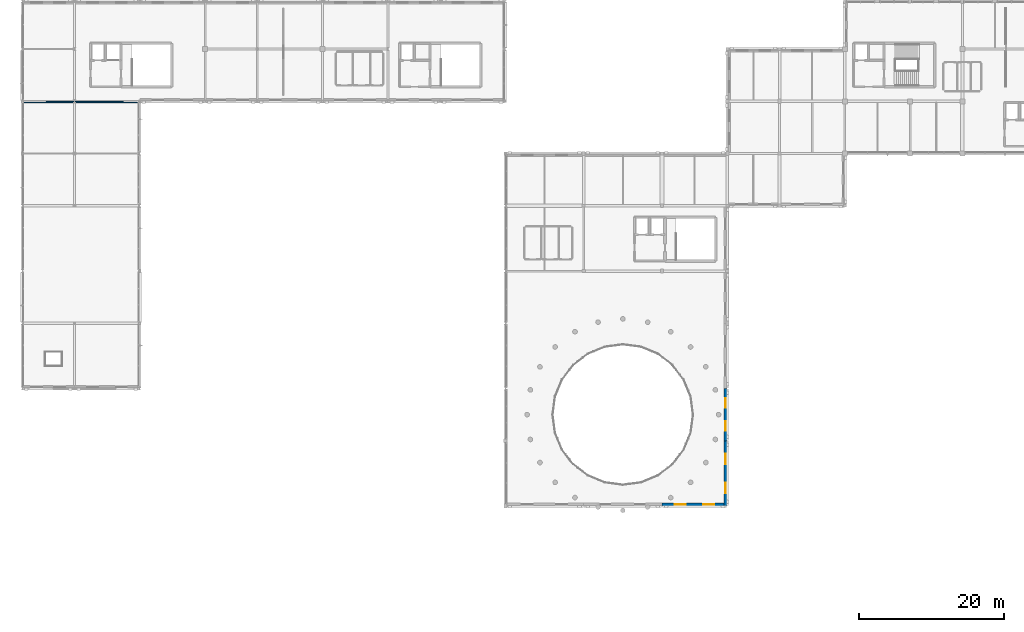
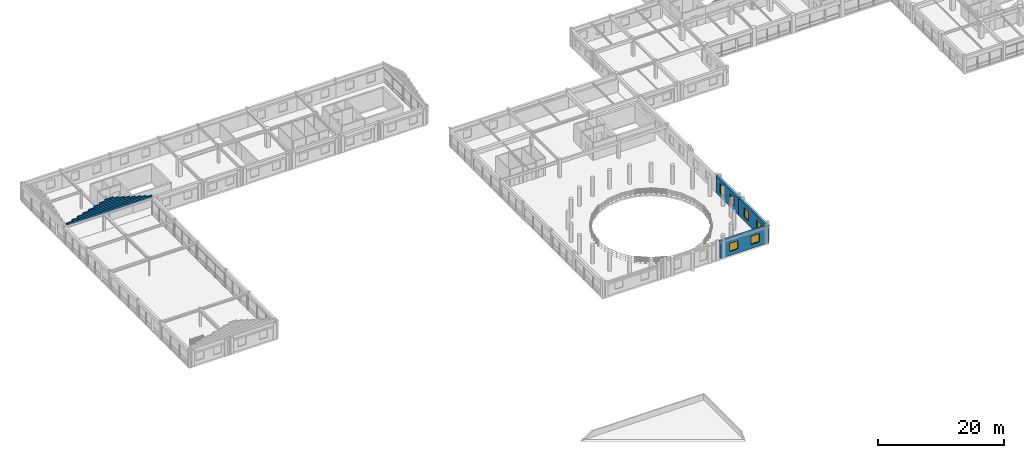
# One storey, part 39 of 52: 11 walls, 6 windows, 6 openings.
"""IFC4 building model written with IfcOpenShell, lengths in metres."""

import ifcopenshell
import ifcopenshell.guid

model = None  # the IFC model being written
_history = None  # IfcOwnerHistory: only IFC2X3 demands one
_inside = {}  # id of a spatial element -> (the spatial element, [elements in it])
_under = {}  # id of a project, library or spatial element -> (it, [spatial elements below it])
_declared = {}  # id of a project -> (the project, [libraries it declares])
_typed = {}  # id of a type object -> (the type object, [elements of that type])
_made_of = {}  # id of a material, layer set ... -> (it, [elements and type objects made of it])


def new_model(schema):
    """Start an empty IFC model of exactly this schema.

    Asked for "IFC4X3", IfcOpenShell would pick the latest addendum, in which some entities
    have other attributes; the version numbers below select the first issue.
    IFC2X3 requires an IfcOwnerHistory on every rooted entity: one is made here for all.
    """
    global model, _history
    if schema == "IFC4X3":
        model = ifcopenshell.file(schema_version=(4, 3, 0, 0))
    else:
        model = ifcopenshell.file(schema=schema)
    _inside.clear()
    _under.clear()
    _declared.clear()
    _typed.clear()
    _made_of.clear()
    _history = None
    if model.schema == "IFC2X3":
        org = make("IfcOrganization", Name="unknown")
        user = make(
            "IfcPersonAndOrganization",
            ThePerson=make("IfcPerson", FamilyName="unknown"),
            TheOrganization=org,
        )
        app = make(
            "IfcApplication",
            ApplicationDeveloper=org,
            Version="unknown",
            ApplicationFullName="unknown",
            ApplicationIdentifier="unknown",
        )
        _history = make(
            "IfcOwnerHistory",
            OwningUser=user,
            OwningApplication=app,
            ChangeAction="ADDED",
            CreationDate=0,
        )
    return model


def make(cls, **values):
    """One entity of the class cls with the attributes given. An attribute that is None is left unset."""
    return model.create_entity(
        cls, **{name: value for name, value in values.items() if value is not None}
    )


def rooted(cls, **values):
    """An entity with a GlobalId (a new one), such as an element, a storey or a relation."""
    return make(cls, GlobalId=ifcopenshell.guid.new(), OwnerHistory=_history, **values)


def si_unit(unit_type, name, prefix=None):
    """IfcSIUnit, for example si_unit("LENGTHUNIT", "METRE", prefix="MILLI")."""
    return make("IfcSIUnit", UnitType=unit_type, Prefix=prefix, Name=name)


def assignment(units):
    """IfcUnitAssignment: the units of a project."""
    return None if units is None else make("IfcUnitAssignment", Units=units)


def point(xyz):
    """IfcCartesianPoint."""
    return None if xyz is None else make("IfcCartesianPoint", Coordinates=xyz)


def direction(xyz):
    """IfcDirection."""
    return None if xyz is None else make("IfcDirection", DirectionRatios=xyz)


def frame(location, z_axis=None, x_axis=None):
    """IfcAxis2Placement3D, a coordinate frame: its origin and axes. An axis left out is left unset."""
    return make(
        "IfcAxis2Placement3D",
        Location=point(location),
        Axis=direction(z_axis),
        RefDirection=direction(x_axis),
    )


def frame_2d(location, x_axis=None):
    """IfcAxis2Placement2D, a coordinate frame in the plane: its origin and x axis."""
    return make(
        "IfcAxis2Placement2D", Location=point(location), RefDirection=direction(x_axis)
    )


def origin():
    """The frame at (0, 0, 0) with its axes left unset."""
    return frame((0.0, 0.0, 0.0))


def place(relative_to, where):
    """IfcLocalPlacement: puts the frame where relative to a parent placement (None: the world)."""
    return make(
        "IfcLocalPlacement", PlacementRelTo=relative_to, RelativePlacement=where
    )


def context(
    kind, dimensions, precision=None, world=None, true_north=None, identifier=None
):
    """IfcGeometricRepresentationContext, for example the 3D "Model" context."""
    return make(
        "IfcGeometricRepresentationContext",
        ContextIdentifier=identifier,
        ContextType=kind,
        CoordinateSpaceDimension=dimensions,
        Precision=precision,
        WorldCoordinateSystem=world,
        TrueNorth=true_north,
    )


def subcontext(parent, identifier, kind, view, scale=None):
    """IfcGeometricRepresentationSubContext, for example "Body" below "Model"."""
    return make(
        "IfcGeometricRepresentationSubContext",
        ContextIdentifier=identifier,
        ContextType=kind,
        ParentContext=parent,
        TargetScale=scale,
        TargetView=view,
    )


def project(units=None, contexts=None):
    """IfcProject with its units and contexts."""
    return rooted(
        "IfcProject",
        Name="project",
        RepresentationContexts=contexts,
        UnitsInContext=assignment(units),
    )


def spatial(cls, under=None, at=None, **own):
    """A site, building, storey or space (cls), placed at a placement, below another one or the project."""
    s = rooted(cls, ObjectPlacement=at, **own)
    if under is not None:
        _under.setdefault(under.id(), (under, []))[1].append(s)
    return s


def profile(cls, at=None, kind="AREA", **sizes):
    """A parametric profile (cls). Its sizes go by their IFC names, for example OverallWidth=200.0."""
    return make(cls, ProfileType=kind, Position=at, **sizes)


def rectangle(**sizes):
    """IfcRectangleProfileDef."""
    return profile("IfcRectangleProfileDef", **sizes)


def extrude(swept, where, along, depth):
    """IfcExtrudedAreaSolid: the profile swept, set in the frame where, extruded along a direction by depth."""
    return make(
        "IfcExtrudedAreaSolid",
        SweptArea=swept,
        Position=where,
        ExtrudedDirection=direction(along),
        Depth=depth,
    )


def shape(context_of_items, identifier, shape_type, items):
    """IfcShapeRepresentation: the items that make up one representation, for example the "Body"."""
    return make(
        "IfcShapeRepresentation",
        ContextOfItems=context_of_items,
        RepresentationIdentifier=identifier,
        RepresentationType=shape_type,
        Items=items,
    )


def material(Name=None, Category=None):
    """IfcMaterial."""
    return make("IfcMaterial", Name=Name, Category=Category)


def layer(
    of_material, thickness, ventilated=None, Name=None, Category=None, Priority=None
):
    """IfcMaterialLayer: one layer of a wall or slab, of a material (None: an air gap)."""
    return make(
        "IfcMaterialLayer",
        Material=of_material,
        LayerThickness=thickness,
        IsVentilated=ventilated,
        Name=Name,
        Category=Category,
        Priority=Priority,
    )


def layer_set(layers, Name=None):
    """IfcMaterialLayerSet."""
    return make("IfcMaterialLayerSet", MaterialLayers=layers, LayerSetName=Name)


def made_of(thing, what):
    """Note that an element or type object is made of a material, layer set ...; save() writes the relation."""
    if what is not None:
        _made_of.setdefault(what.id(), (what, []))[1].append(thing)
    return thing


def type_object(cls, material=None, **own):
    """A type object (cls), such as IfcWallType, which elements share."""
    return made_of(rooted(cls, **own), material)


def element(
    cls,
    number,
    at=None,
    inside=None,
    cuts=None,
    type_object=None,
    material=None,
    context=None,
    identifier="Body",
    shape_type=None,
    held_by="IfcProductDefinitionShape",
    body=None,
    shapes=None,
    **own,
):
    """One element of the class cls, such as IfcWall. Its Tag is "e" and its number.

    at: its placement. inside: the storey or other place that contains it. cuts: it is an
    opening in that element (IfcRelVoidsElement). A single representation is given by context,
    identifier, shape_type and body (its items); several are given by shapes. held_by: the class
    of the entity that holds the representations. save() writes the other relations.
    """
    e = rooted(cls, Tag="e%d" % number, ObjectPlacement=at, **own)
    if body is not None:
        shapes = [shape(context, identifier, shape_type, body)]
    if shapes is not None:
        e.Representation = make(held_by, Representations=shapes)
    if inside is not None:
        _inside.setdefault(inside.id(), (inside, []))[1].append(e)
    if cuts is not None:
        rooted(
            "IfcRelVoidsElement", RelatingBuildingElement=cuts, RelatedOpeningElement=e
        )
    if type_object is not None:
        _typed.setdefault(type_object.id(), (type_object, []))[1].append(e)
    return made_of(e, material)


def fill(opening, filler):
    """IfcRelFillsElement: the door or window that sits in an opening."""
    return rooted(
        "IfcRelFillsElement",
        RelatingOpeningElement=opening,
        RelatedBuildingElement=filler,
    )


def aggregate(whole, parts):
    """IfcRelAggregates: a whole, such as a stair, and the parts it consists of."""
    return rooted("IfcRelAggregates", RelatingObject=whole, RelatedObjects=parts)


def save(model, path):
    """Write the relations noted so far, then the file.

    IfcRelAggregates (storeys below a building ...), IfcRelContainedInSpatialStructure (elements
    in a storey), IfcRelDefinesByType, IfcRelAssociatesMaterial and IfcRelDeclares: one each for
    every whole, place, type object, material and project.
    """
    for whole, parts in _under.values():
        aggregate(whole, parts)
    for where, things in _inside.values():
        rooted(
            "IfcRelContainedInSpatialStructure",
            RelatedElements=things,
            RelatingStructure=where,
        )
    for kind, things in _typed.values():
        rooted("IfcRelDefinesByType", RelatedObjects=things, RelatingType=kind)
    for what, things in _made_of.values():
        rooted("IfcRelAssociatesMaterial", RelatedObjects=things, RelatingMaterial=what)
    for by, libraries in _declared.values():
        rooted("IfcRelDeclares", RelatingContext=by, RelatedDefinitions=libraries)
    model.write(path)


model = new_model("IFC4")

# Units and contexts
model_context = context("Model", 3, precision=1e-05, world=origin(), true_north=direction((0.0, 1.0)))
body_context = subcontext(model_context, "Body", "Model", "MODEL_VIEW")
ifc_project = project(units=[si_unit("LENGTHUNIT", "METRE"), si_unit("AREAUNIT", "SQUARE_METRE"), si_unit("VOLUMEUNIT", "CUBIC_METRE"), si_unit("PLANEANGLEUNIT", "RADIAN"), si_unit("MASSUNIT", "GRAM", prefix="KILO")], contexts=[model_context])

# Site, building, storey
site_placement = place(None, origin())
site = spatial("IfcSite", under=ifc_project, at=site_placement, CompositionType="ELEMENT")
building_placement = place(site_placement, origin())
building = spatial("IfcBuilding", under=site, at=building_placement, Name="Clarverna Civic Hall", CompositionType="ELEMENT")
storey_placement = place(building_placement, frame((0.0, 0.0, 16.800048828125)))
storey = spatial("IfcBuildingStorey", under=building, at=storey_placement, Name="L04", CompositionType="ELEMENT", Elevation=16.800048828125)

# Wall, openings, windows
ifc_material_1 = material(Name="Montjuic Limestone Ashlar Cladding", Category="masonry")
ifc_layer_1 = layer(ifc_material_1, 0.39990234375)
ifc_layer_set_1 = layer_set([ifc_layer_1], Name="Montjuic Limestone Ashlar Cladding")
wall_type_1 = type_object("IfcWallType", Name="EW-02", PredefinedType="SOLIDWALL", material=ifc_layer_set_1)
wall_1_placement = place(storey_placement, frame((96.97509765625, 62.60009765625, 0.0), z_axis=(0.0, 0.0, 1.0), x_axis=(0.0, -1.0, 0.0)))
wall_1 = element("IfcWall", 1, at=wall_1_placement, inside=storey, type_object=wall_type_1, Name="EW-02-233", PredefinedType="SOLIDWALL", context=body_context, shape_type="SweptSolid", body=[
    extrude(rectangle(XDim=7.2001953125, YDim=0.39990234375, at=frame_2d((3.60009765625, 0.0))), origin(), (0.0, 0.0, 1.0), 3.33984375),
])
opening_1_placement = place(wall_1_placement, frame((1.365966796875, 0.0, 0.75)))
opening_1 = element("IfcOpeningElement", 2, at=opening_1_placement, cuts=wall_1, Name="Opening WN-19", PredefinedType="OPENING", context=body_context, shape_type="SweptSolid", body=[
    extrude(rectangle(XDim=1.300048828125, YDim=1.85009765625, at=frame_2d((0.64990234375, 0.925048828125))), frame((0.0, 0.2099609375, 0.0), z_axis=(0.0, -1.0, 0.0), x_axis=(1.0, 0.0, 0.0)), (0.0, 0.0, 1.0), 0.419921875),
])
opening_2_placement = place(wall_1_placement, frame((4.533935546875, 0.0, 0.75)))
opening_2 = element("IfcOpeningElement", 3, at=opening_2_placement, cuts=wall_1, Name="Opening WN-19", PredefinedType="OPENING", context=body_context, shape_type="SweptSolid", body=[
    extrude(rectangle(XDim=1.300048828125, YDim=1.85009765625, at=frame_2d((0.64990234375, 0.925048828125))), frame((0.0, 0.2099609375, 0.0), z_axis=(0.0, -1.0, 0.0), x_axis=(1.0, 0.0, 0.0)), (0.0, 0.0, 1.0), 0.419921875),
])
ifc_material_2 = material(Name="Solar-Control Argon Low-E Double Glazing", Category="glass")
window_type_1 = type_object("IfcWindowType", Name="WN-19", PartitioningType="SINGLE_PANEL", PredefinedType="WINDOW", material=ifc_material_2)
window_1_placement = place(opening_1_placement, origin())
window_1 = element("IfcWindow", 4, at=window_1_placement, inside=storey, type_object=window_type_1, Name="WN-19-005", OverallHeight=1.85009765625, OverallWidth=1.300048828125, PartitioningType="SINGLE_PANEL", PredefinedType="WINDOW", context=body_context, shape_type="SweptSolid", body=[
    extrude(rectangle(XDim=1.300048828125, YDim=1.85009765625, at=frame_2d((0.64990234375, 0.925048828125))), frame((0.0, 0.030029296875, 0.0), z_axis=(0.0, -1.0, 0.0), x_axis=(1.0, 0.0, 0.0)), (0.0, 0.0, 1.0), 0.06005859375),
])
fill(opening_1, window_1)
window_2_placement = place(opening_2_placement, origin())
window_2 = element("IfcWindow", 5, at=window_2_placement, inside=storey, type_object=window_type_1, Name="WN-19-006", OverallHeight=1.85009765625, OverallWidth=1.300048828125, PartitioningType="SINGLE_PANEL", PredefinedType="WINDOW", context=body_context, shape_type="SweptSolid", body=[
    extrude(rectangle(XDim=1.300048828125, YDim=1.85009765625, at=frame_2d((0.64990234375, 0.925048828125))), frame((0.0, 0.030029296875, 0.0), z_axis=(0.0, -1.0, 0.0), x_axis=(1.0, 0.0, 0.0)), (0.0, 0.0, 1.0), 0.06005859375),
])
fill(opening_2, window_2)

wall_2_placement = place(storey_placement, frame((96.97509765625, 55.39990234375, 0.0), z_axis=(0.0, 0.0, 1.0), x_axis=(0.0, -1.0, 0.0)))
wall_2 = element("IfcWall", 6, at=wall_2_placement, inside=storey, type_object=wall_type_1, Name="EW-02-234", PredefinedType="SOLIDWALL", context=body_context, shape_type="SweptSolid", body=[
    extrude(rectangle(XDim=9.0, YDim=0.39990234375, at=frame_2d((4.5, 0.0))), origin(), (0.0, 0.0, 1.0), 3.33984375),
])
opening_3_placement = place(wall_2_placement, frame((1.794921875, 0.0, 0.75)))
opening_3 = element("IfcOpeningElement", 7, at=opening_3_placement, cuts=wall_2, Name="Opening WN-20", PredefinedType="OPENING", context=body_context, shape_type="SweptSolid", body=[
    extrude(rectangle(XDim=1.449951171875, YDim=1.85009765625, at=frame_2d((0.72509765625, 0.925048828125))), frame((0.0, 0.2099609375, 0.0), z_axis=(0.0, -1.0, 0.0), x_axis=(1.0, 0.0, 0.0)), (0.0, 0.0, 1.0), 0.419921875),
])
opening_4_placement = place(wall_2_placement, frame((5.7548828125, 0.0, 0.75)))
opening_4 = element("IfcOpeningElement", 8, at=opening_4_placement, cuts=wall_2, Name="Opening WN-20", PredefinedType="OPENING", context=body_context, shape_type="SweptSolid", body=[
    extrude(rectangle(XDim=1.449951171875, YDim=1.85009765625, at=frame_2d((0.72509765625, 0.925048828125))), frame((0.0, 0.2099609375, 0.0), z_axis=(0.0, -1.0, 0.0), x_axis=(1.0, 0.0, 0.0)), (0.0, 0.0, 1.0), 0.419921875),
])
window_type_2 = type_object("IfcWindowType", Name="WN-20", PartitioningType="DOUBLE_PANEL_VERTICAL", PredefinedType="WINDOW", material=ifc_material_2)
window_3_placement = place(opening_3_placement, origin())
window_3 = element("IfcWindow", 9, at=window_3_placement, inside=storey, type_object=window_type_2, Name="WN-20-005", OverallHeight=1.85009765625, OverallWidth=1.449951171875, PartitioningType="DOUBLE_PANEL_VERTICAL", PredefinedType="WINDOW", context=body_context, shape_type="SweptSolid", body=[
    extrude(rectangle(XDim=1.449951171875, YDim=1.85009765625, at=frame_2d((0.72509765625, 0.925048828125))), frame((0.0, 0.030029296875, 0.0), z_axis=(0.0, -1.0, 0.0), x_axis=(1.0, 0.0, 0.0)), (0.0, 0.0, 1.0), 0.06005859375),
])
fill(opening_3, window_3)
window_4_placement = place(opening_4_placement, origin())
window_4 = element("IfcWindow", 10, at=window_4_placement, inside=storey, type_object=window_type_2, Name="WN-20-006", OverallHeight=1.85009765625, OverallWidth=1.449951171875, PartitioningType="DOUBLE_PANEL_VERTICAL", PredefinedType="WINDOW", context=body_context, shape_type="SweptSolid", body=[
    extrude(rectangle(XDim=1.449951171875, YDim=1.85009765625, at=frame_2d((0.72509765625, 0.925048828125))), frame((0.0, 0.030029296875, 0.0), z_axis=(0.0, -1.0, 0.0), x_axis=(1.0, 0.0, 0.0)), (0.0, 0.0, 1.0), 0.06005859375),
])
fill(opening_4, window_4)

wall_3_placement = place(storey_placement, frame((97.175048828125, 46.60009765625, 0.0), z_axis=(0.0, 0.0, 1.0), x_axis=(-1.0, 0.0, 0.0)))
wall_3 = element("IfcWall", 11, at=wall_3_placement, inside=storey, type_object=wall_type_1, Name="EW-02-235", PredefinedType="SOLIDWALL", context=body_context, shape_type="SweptSolid", body=[
    extrude(rectangle(XDim=8.97509765625, YDim=0.39990234375, at=frame_2d((4.487548828125, 0.0))), origin(), (0.0, 0.0, 1.0), 3.33984375),
])
opening_5_placement = place(wall_3_placement, frame((1.762939453125, 0.0, 0.75)))
opening_5 = element("IfcOpeningElement", 12, at=opening_5_placement, cuts=wall_3, Name="Opening WN-14", PredefinedType="OPENING", context=body_context, shape_type="SweptSolid", body=[
    extrude(rectangle(XDim=1.5, YDim=1.60009765625, at=frame_2d((0.75, 0.800048828125))), frame((0.0, 0.2099609375, 0.0), z_axis=(0.0, -1.0, 0.0), x_axis=(1.0, 0.0, 0.0)), (0.0, 0.0, 1.0), 0.419921875),
])
opening_6_placement = place(wall_3_placement, frame((5.7119140625, 0.0, 0.75)))
opening_6 = element("IfcOpeningElement", 13, at=opening_6_placement, cuts=wall_3, Name="Opening WN-14", PredefinedType="OPENING", context=body_context, shape_type="SweptSolid", body=[
    extrude(rectangle(XDim=1.5, YDim=1.60009765625, at=frame_2d((0.75, 0.800048828125))), frame((0.0, 0.2099609375, 0.0), z_axis=(0.0, -1.0, 0.0), x_axis=(1.0, 0.0, 0.0)), (0.0, 0.0, 1.0), 0.419921875),
])
window_type_3 = type_object("IfcWindowType", Name="WN-14", PartitioningType="DOUBLE_PANEL_HORIZONTAL", PredefinedType="WINDOW", material=ifc_material_2)
window_5_placement = place(opening_5_placement, origin())
window_5 = element("IfcWindow", 14, at=window_5_placement, inside=storey, type_object=window_type_3, Name="WN-14-258", OverallHeight=1.60009765625, OverallWidth=1.5, PartitioningType="DOUBLE_PANEL_HORIZONTAL", PredefinedType="WINDOW", context=body_context, shape_type="SweptSolid", body=[
    extrude(rectangle(XDim=1.5, YDim=1.60009765625, at=frame_2d((0.75, 0.800048828125))), frame((0.0, 0.030029296875, 0.0), z_axis=(0.0, -1.0, 0.0), x_axis=(1.0, 0.0, 0.0)), (0.0, 0.0, 1.0), 0.06005859375),
])
fill(opening_5, window_5)
window_6_placement = place(opening_6_placement, origin())
window_6 = element("IfcWindow", 15, at=window_6_placement, inside=storey, type_object=window_type_3, Name="WN-14-259", OverallHeight=1.60009765625, OverallWidth=1.5, PartitioningType="DOUBLE_PANEL_HORIZONTAL", PredefinedType="WINDOW", context=body_context, shape_type="SweptSolid", body=[
    extrude(rectangle(XDim=1.5, YDim=1.60009765625, at=frame_2d((0.75, 0.800048828125))), frame((0.0, 0.030029296875, 0.0), z_axis=(0.0, -1.0, 0.0), x_axis=(1.0, 0.0, 0.0)), (0.0, 0.0, 1.0), 0.06005859375),
])
fill(opening_6, window_6)

# Walls
ifc_material_3 = material(Name="Precast concrete C40/50", Category="concrete")
ifc_layer_2 = layer(ifc_material_3, 0.239990234375)
ifc_layer_set_2 = layer_set([ifc_layer_2], Name="Precast concrete C40/50")
wall_type_2 = type_object("IfcWallType", Name="PR-01", PredefinedType="PARAPET", material=ifc_layer_set_2)
wall_4_placement = place(storey_placement, frame((0.280517578125, 102.1201171875, 3.56005859375), z_axis=(0.0, 0.0, 1.0), x_axis=(1.0, 0.0, 0.0)))
element("IfcWall", 16, at=wall_4_placement, inside=storey, type_object=wall_type_2, Name="PR-01-127", PredefinedType="PARAPET", context=body_context, shape_type="SweptSolid", body=[
    extrude(rectangle(XDim=15.638916015625, YDim=0.239990234375, at=frame_2d((7.8193359375, 0.0))), origin(), (0.0, 0.0, 1.0), 0.341796875),
])
wall_5_placement = place(storey_placement, frame((1.282958984375, 102.1201171875, 3.90185546875), z_axis=(0.0, 0.0, 1.0), x_axis=(1.0, 0.0, 0.0)))
element("IfcWall", 17, at=wall_5_placement, inside=storey, type_object=wall_type_2, Name="PR-01-128", PredefinedType="PARAPET", context=body_context, shape_type="SweptSolid", body=[
    extrude(rectangle(XDim=13.634033203125, YDim=0.239990234375, at=frame_2d((6.81689453125, 0.0))), origin(), (0.0, 0.0, 1.0), 0.301513671875),
])
wall_6_placement = place(storey_placement, frame((2.285400390625, 102.1201171875, 4.203369140625), z_axis=(0.0, 0.0, 1.0), x_axis=(1.0, 0.0, 0.0)))
element("IfcWall", 18, at=wall_6_placement, inside=storey, type_object=wall_type_2, Name="PR-01-129", PredefinedType="PARAPET", context=body_context, shape_type="SweptSolid", body=[
    extrude(rectangle(XDim=11.629150390625, YDim=0.239990234375, at=frame_2d((5.814453125, 0.0))), origin(), (0.0, 0.0, 1.0), 0.302001953125),
])
wall_7_placement = place(storey_placement, frame((3.2880859375, 102.1201171875, 4.50537109375), z_axis=(0.0, 0.0, 1.0), x_axis=(1.0, 0.0, 0.0)))
element("IfcWall", 19, at=wall_7_placement, inside=storey, type_object=wall_type_2, Name="PR-01-130", PredefinedType="PARAPET", context=body_context, shape_type="SweptSolid", body=[
    extrude(rectangle(XDim=9.6240234375, YDim=0.239990234375, at=frame_2d((4.81201171875, 0.0))), origin(), (0.0, 0.0, 1.0), 0.3017578125),
])
wall_8_placement = place(storey_placement, frame((4.29052734375, 102.1201171875, 4.80712890625), z_axis=(0.0, 0.0, 1.0), x_axis=(1.0, 0.0, 0.0)))
element("IfcWall", 20, at=wall_8_placement, inside=storey, type_object=wall_type_2, Name="PR-01-131", PredefinedType="PARAPET", context=body_context, shape_type="SweptSolid", body=[
    extrude(rectangle(XDim=7.618896484375, YDim=0.239990234375, at=frame_2d((3.8095703125, 0.0))), origin(), (0.0, 0.0, 1.0), 0.301513671875),
])
wall_9_placement = place(storey_placement, frame((5.29296875, 102.1201171875, 5.108642578125), z_axis=(0.0, 0.0, 1.0), x_axis=(1.0, 0.0, 0.0)))
element("IfcWall", 21, at=wall_9_placement, inside=storey, type_object=wall_type_2, Name="PR-01-132", PredefinedType="PARAPET", context=body_context, shape_type="SweptSolid", body=[
    extrude(rectangle(XDim=5.614013671875, YDim=0.239990234375, at=frame_2d((2.80712890625, 0.0))), origin(), (0.0, 0.0, 1.0), 0.302001953125),
])
wall_10_placement = place(storey_placement, frame((6.29541015625, 102.1201171875, 5.41064453125), z_axis=(0.0, 0.0, 1.0), x_axis=(1.0, 0.0, 0.0)))
element("IfcWall", 22, at=wall_10_placement, inside=storey, type_object=wall_type_2, Name="PR-01-133", PredefinedType="PARAPET", context=body_context, shape_type="SweptSolid", body=[
    extrude(rectangle(XDim=3.609130859375, YDim=0.239990234375, at=frame_2d((1.8046875, 0.0))), origin(), (0.0, 0.0, 1.0), 0.301513671875),
])
wall_11_placement = place(storey_placement, frame((7.298095703125, 102.1201171875, 5.712158203125), z_axis=(0.0, 0.0, 1.0), x_axis=(1.0, 0.0, 0.0)))
element("IfcWall", 23, at=wall_11_placement, inside=storey, type_object=wall_type_2, Name="PR-01-134", PredefinedType="PARAPET", context=body_context, shape_type="SweptSolid", body=[
    extrude(rectangle(XDim=1.60400390625, YDim=0.239990234375, at=frame_2d((0.802001953125, 0.0))), origin(), (0.0, 0.0, 1.0), 0.302001953125),
])

save(model, "model.ifc")
